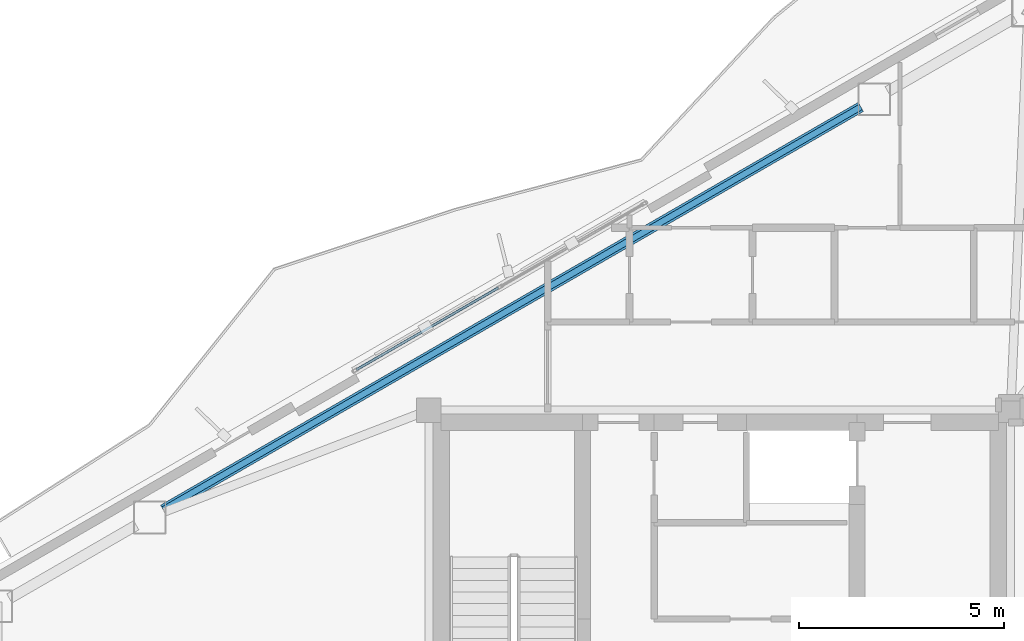
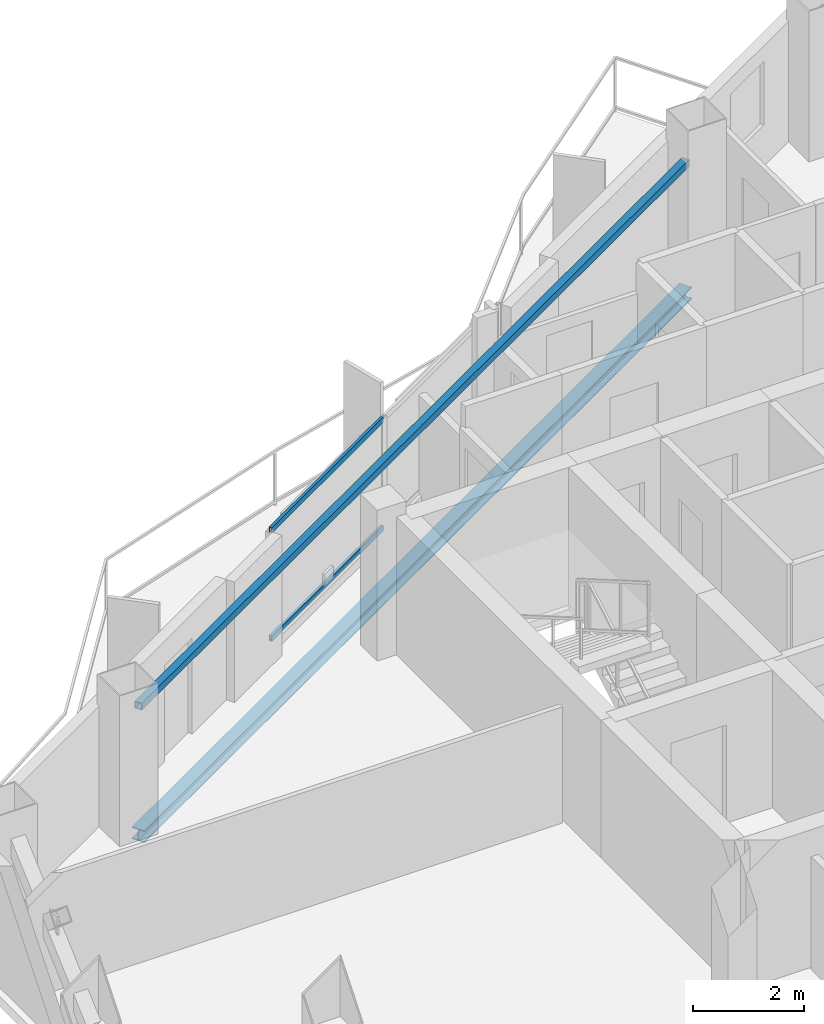
# One storey, part 9 of 18: 2 beams, 2 members, 1 element without a shape of its own.
"""IFC4 building model written with IfcOpenShell, lengths in metres."""

from ifc_helpers import new_model, si_unit, direction, frame, origin, origin_2d, place, context, subcontext, project, spatial, hollow_rectangle, i_section, extrude, material, layer, layer_set, material_profile, profile_set, type_object, element, aggregate, save


model = new_model("IFC4")

# Units and contexts
model_context = context("Model", 3, precision=1e-05, world=origin(), true_north=direction((0.0, 1.0)))
body_context = subcontext(model_context, "Body", "Model", "MODEL_VIEW")
ifc_project = project(units=[si_unit("LENGTHUNIT", "METRE"), si_unit("AREAUNIT", "SQUARE_METRE"), si_unit("VOLUMEUNIT", "CUBIC_METRE"), si_unit("PLANEANGLEUNIT", "RADIAN"), si_unit("MASSUNIT", "GRAM", prefix="KILO")], contexts=[model_context])

# Site, building, storey
site_placement = place(None, origin())
site = spatial("IfcSite", under=ifc_project, at=site_placement, CompositionType="ELEMENT")
building_placement = place(site_placement, origin())
building = spatial("IfcBuilding", under=site, at=building_placement, Name="Mersakhor Tower and Convention Hall", CompositionType="ELEMENT")
storey_placement = place(building_placement, frame((0.0, 0.0, 246.300048828125)))
storey = spatial("IfcBuildingStorey", under=building, at=storey_placement, Name="L69", CompositionType="ELEMENT", Elevation=246.300048828125)

# Beams
ifc_material_1 = material(Name="Steel S355", Category="steel")
ifc_material_profile_1 = material_profile(ifc_material_1, hollow_rectangle(XDim=0.14990234375, YDim=0.14990234375, WallThickness=0.010009765625, at=origin_2d()), Name="SHS 150x150x10")
ifc_profile_set_1 = profile_set([ifc_material_profile_1], Name="Steel S355")
beam_type_1 = type_object("IfcBeamType", Name="BM-GRT-SHS150", PredefinedType="USERDEFINED", material=ifc_profile_set_1)
beam_1_placement = place(storey_placement, frame((15.414794921875, 30.618408203125, 2.47998046875), z_axis=(0.866021610626, 0.500006569886, 0.0), x_axis=(-0.500006569886, 0.866021610626, 0.0)))
element("IfcBeam", 1, at=beam_1_placement, inside=storey, type_object=beam_type_1, Name="L69 Facade Support Girt GRT-F1", ObjectType="GIRT", PredefinedType="USERDEFINED", context=body_context, shape_type="SweptSolid", body=[
    extrude(hollow_rectangle(XDim=0.14990234375, YDim=0.14990234375, WallThickness=0.010009765625, at=origin_2d()), origin(), (0.0, 0.0, 1.0), 19.661865234375),
])
ifc_material_2 = material(Name="Steel S355", Category="steel")
ifc_material_profile_2 = material_profile(ifc_material_2, i_section(OverallWidth=0.25634765625, OverallDepth=0.26025390625, WebThickness=0.01025390625, FlangeThickness=0.017333984375, at=origin_2d()), Name="UC 254x254x89")
ifc_profile_set_2 = profile_set([ifc_material_profile_2], Name="Steel S355")
beam_type_2 = type_object("IfcBeamType", Name="BM-SPD-UC254", PredefinedType="SPANDREL", material=ifc_profile_set_2)
beam_2_placement = place(storey_placement, frame((15.414794921875, 30.618408203125, -0.35009765625), z_axis=(0.866021610626, 0.500006569886, 0.0), x_axis=(-0.500006569886, 0.866021610626, 0.0)))
element("IfcBeam", 2, at=beam_2_placement, inside=storey, type_object=beam_type_2, Name="L69 Perimeter Spandrel Beam SPB-02", PredefinedType="SPANDREL", context=body_context, shape_type="SweptSolid", body=[
    extrude(i_section(OverallWidth=0.25634765625, OverallDepth=0.26025390625, WebThickness=0.01025390625, FlangeThickness=0.017333984375, at=origin_2d()), origin(), (0.0, 0.0, 1.0), 19.661865234375),
])

# Curtain wall, members
ifc_material_3 = material(Name="Dark solar low-E aluminium curtain wall", Category="aluminium")
ifc_layer = layer(ifc_material_3, 0.179931640625)
ifc_layer_set = layer_set([ifc_layer], Name="Dark solar low-E aluminium curtain wall")
curtain_wall_type = type_object("IfcCurtainWallType", Name="CW-SYS-03", PredefinedType="USERDEFINED", material=ifc_layer_set)
curtain_wall_placement = place(storey_placement, origin())
curtain_wall = element("IfcCurtainWall", 3, at=curtain_wall_placement, inside=storey, type_object=curtain_wall_type, Name="L69 Dark-Glass Curtain Wall F1-B2", ObjectType="CURTAIN WALL", PredefinedType="USERDEFINED")
ifc_material_4 = material(Name="Anodised aluminium EN AW-6063 T6", Category="aluminium")
ifc_material_profile_3 = material_profile(ifc_material_4, hollow_rectangle(XDim=0.06005859375, YDim=0.1201171875, WallThickness=0.0048828125, at=origin_2d()), Name="RHS 120x60x5")
ifc_profile_set_3 = profile_set([ifc_material_profile_3], Name="Anodised aluminium EN AW-6063 T6")
member_type = type_object("IfcMemberType", Name="CWT-120x60", PredefinedType="USERDEFINED", material=ifc_profile_set_3)
member_1_placement = place(storey_placement, frame((20.130859375, 34.0341796875, 0.22998046875), z_axis=(0.866023018642, 0.500004131166, 0.0), x_axis=(-0.500004131166, 0.866023018642, 0.0)))
member_1 = element("IfcMember", 4, at=member_1_placement, type_object=member_type, Name="CW-03 transom 1.1", ObjectType="TRANSOM", PredefinedType="USERDEFINED", context=body_context, shape_type="SweptSolid", body=[
    extrude(hollow_rectangle(XDim=0.06005859375, YDim=0.1201171875, WallThickness=0.0048828125, at=origin_2d()), origin(), (0.0, 0.0, 1.0), 4.00146484375),
])
member_2_placement = place(storey_placement, frame((20.130859375, 34.0341796875, 2.60986328125), z_axis=(0.866023018642, 0.500004131166, 0.0), x_axis=(-0.500004131166, 0.866023018642, 0.0)))
member_2 = element("IfcMember", 5, at=member_2_placement, type_object=member_type, Name="CW-03 transom 1.2", ObjectType="TRANSOM", PredefinedType="USERDEFINED", context=body_context, shape_type="SweptSolid", body=[
    extrude(hollow_rectangle(XDim=0.06005859375, YDim=0.1201171875, WallThickness=0.0048828125, at=origin_2d()), origin(), (0.0, 0.0, 1.0), 4.00146484375),
])
aggregate(curtain_wall, [member_1, member_2])

save(model, "model.ifc")
